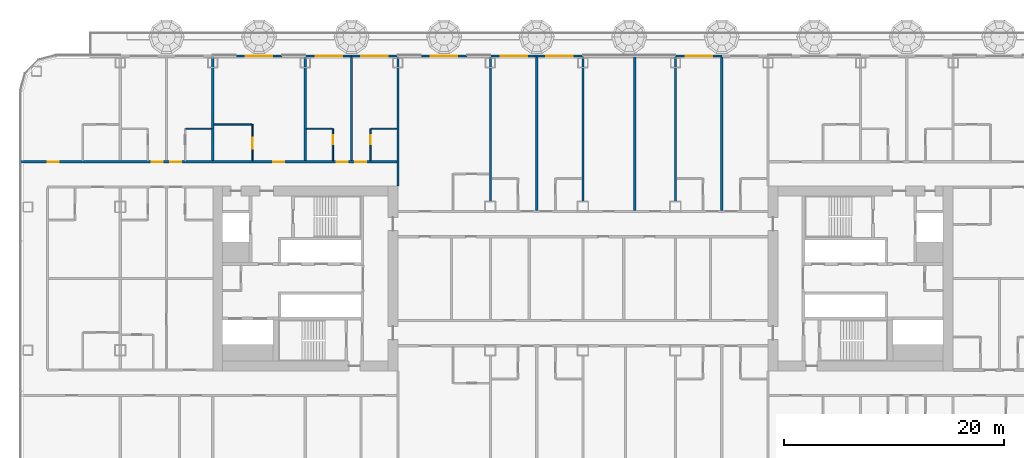
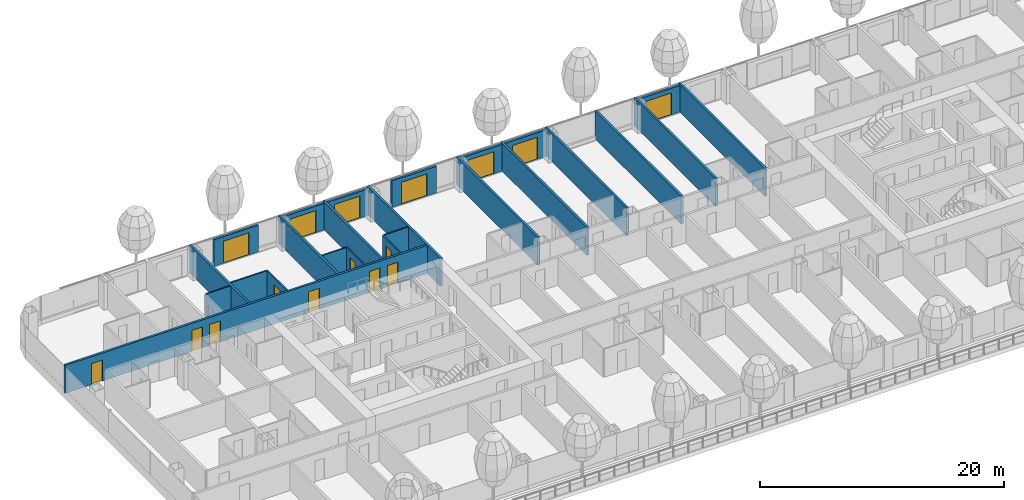
# One storey, part 16 of 36: 25 walls, 16 doors, 16 openings, 1 element without a shape of its own.
"""IFC4 building model written with IfcOpenShell, lengths in metres."""

from ifc_helpers import new_model, si_unit, direction, frame, frame_2d, origin, place, context, subcontext, project, spatial, rectangle, extrude, material, layer, layer_set, type_object, element, fill, aggregate, save


model = new_model("IFC4")

# Units and contexts
model_context = context("Model", 3, precision=1e-05, world=origin(), true_north=direction((0.0, 1.0)))
body_context = subcontext(model_context, "Body", "Model", "MODEL_VIEW")
ifc_project = project(units=[si_unit("LENGTHUNIT", "METRE"), si_unit("AREAUNIT", "SQUARE_METRE"), si_unit("VOLUMEUNIT", "CUBIC_METRE"), si_unit("PLANEANGLEUNIT", "RADIAN"), si_unit("MASSUNIT", "GRAM", prefix="KILO")], contexts=[model_context])

# Site, building, storey
site_placement = place(None, origin())
site = spatial("IfcSite", under=ifc_project, at=site_placement, CompositionType="ELEMENT")
building_placement = place(site_placement, origin())
building = spatial("IfcBuilding", under=site, at=building_placement, Name="Hakoniwa Tower and Hamabe Station Hall", CompositionType="ELEMENT")
storey_placement = place(building_placement, frame((0.0, 0.0, 26.199951171875)))
storey = spatial("IfcBuildingStorey", under=building, at=storey_placement, Name="L06", CompositionType="ELEMENT", Elevation=26.199951171875)

# Walls
ifc_material_1 = material(Name="Gypsum board partition", Category="gypsum")
ifc_layer_1 = layer(ifc_material_1, 0.125)
ifc_layer_set_1 = layer_set([ifc_layer_1], Name="Bathroom Partition 125")
wall_type_1 = type_object("IfcWallType", Name="Bathroom Partition 125", PredefinedType="PARTITIONING", material=ifc_layer_set_1)
for number, where, z_axis, x_axis, name in (
    (1, (-36.03759765625, 13.60009765625, 0.0), (0.0, 0.0, 1.0), (1.0, 0.0, 0.0), "GW-L06-042"),
    (2, (-25.10009765625, 13.60009765625, 0.0), (0.0, 0.0, 1.0), (1.0, 0.0, 0.0), "GW-L06-043"),
    (3, (-19.237548828125, 13.60009765625, 0.0), (0.0, 0.0, 1.0), (1.0, 0.0, 0.0), "GW-L06-044"),
):
    element("IfcWall", number, at=place(storey_placement, frame(where, z_axis=z_axis, x_axis=x_axis)), inside=storey, type_object=wall_type_1, Name=name, PredefinedType="PARTITIONING", context=body_context, shape_type="SweptSolid", body=[
        extrude(rectangle(XDim=2.337646484375, YDim=0.125, at=frame_2d((1.1689453125, 0.0))), origin(), (0.0, 0.0, 1.0), 2.800048828125),
    ])
wall_1_placement = place(storey_placement, frame((-33.5, 14.0, 0.0), z_axis=(0.0, 0.0, 1.0), x_axis=(1.0, 0.0, 0.0)))
element("IfcWall", 4, at=wall_1_placement, inside=storey, type_object=wall_type_1, Name="GW-L06-050", PredefinedType="PARTITIONING", context=body_context, shape_type="SweptSolid", body=[
    extrude(rectangle(XDim=3.4375, YDim=0.125, at=frame_2d((1.71875, 0.0))), origin(), (0.0, 0.0, 1.0), 2.800048828125),
])

# Wall, opening, door
wall_2_placement = place(storey_placement, frame((-30.0, 10.699951171875, 0.0), z_axis=(0.0, 0.0, 1.0), x_axis=(0.0, 1.0, 0.0)))
wall_2 = element("IfcWall", 5, at=wall_2_placement, inside=storey, type_object=wall_type_1, Name="GW-L06-071", PredefinedType="PARTITIONING", context=body_context, shape_type="SweptSolid", body=[
    extrude(rectangle(XDim=3.300048828125, YDim=0.125, at=frame_2d((1.64990234375, 0.0))), origin(), (0.0, 0.0, 1.0), 2.800048828125),
])
opening_1_placement = place(wall_2_placement, frame((1.10009765625, 0.0, 0.0)))
opening_1 = element("IfcOpeningElement", 6, at=opening_1_placement, cuts=wall_2, Name="Opening GD-G1C0-74", PredefinedType="OPENING", context=body_context, shape_type="SweptSolid", body=[
    extrude(rectangle(XDim=1.0, YDim=2.10009765625, at=frame_2d((0.5, 1.050048828125))), frame((0.0, 0.072509765625, 0.0), z_axis=(0.0, -1.0, 0.0), x_axis=(1.0, 0.0, 0.0)), (0.0, 0.0, 1.0), 0.14501953125),
])
ifc_material_2 = material(Name="Timber door leaf", Category="wood")
door_type_1 = type_object("IfcDoorType", Name="Accessible Bathroom Door 1000", OperationType="SINGLE_SWING_LEFT", PredefinedType="DOOR", material=ifc_material_2)
door_1_placement = place(opening_1_placement, origin())
door_1 = element("IfcDoor", 7, at=door_1_placement, inside=storey, type_object=door_type_1, Name="Door GD-G1C0-74", OperationType="SINGLE_SWING_RIGHT", OverallHeight=2.10009765625, OverallWidth=1.0, PredefinedType="DOOR", context=body_context, shape_type="SweptSolid", body=[
    extrude(rectangle(XDim=1.0, YDim=2.10009765625, at=frame_2d((0.5, 1.050048828125))), frame((0.0, 0.02490234375, 0.0), z_axis=(0.0, -1.0, 0.0), x_axis=(1.0, 0.0, 0.0)), (0.0, 0.0, 1.0), 0.050048828125),
])
fill(opening_1, door_1)

wall_3_placement = place(storey_placement, frame((-22.699951171875, 10.699951171875, 0.0), z_axis=(0.0, 0.0, 1.0), x_axis=(0.0, 1.0, 0.0)))
wall_3 = element("IfcWall", 8, at=wall_3_placement, inside=storey, type_object=wall_type_1, Name="GW-L06-074", PredefinedType="PARTITIONING", context=body_context, shape_type="SweptSolid", body=[
    extrude(rectangle(XDim=2.900146484375, YDim=0.125, at=frame_2d((1.4501953125, 0.0))), origin(), (0.0, 0.0, 1.0), 2.800048828125),
])
opening_2_placement = place(wall_3_placement, frame((1.5, 0.0, 0.0)))
opening_2 = element("IfcOpeningElement", 9, at=opening_2_placement, cuts=wall_3, Name="Opening GD-G1C0-75", PredefinedType="OPENING", context=body_context, shape_type="SweptSolid", body=[
    extrude(rectangle(XDim=0.800048828125, YDim=2.10009765625, at=frame_2d((0.39990234375, 1.050048828125))), frame((0.0, 0.072509765625, 0.0), z_axis=(0.0, -1.0, 0.0), x_axis=(1.0, 0.0, 0.0)), (0.0, 0.0, 1.0), 0.14501953125),
])
ifc_material_3 = material(Name="Timber door leaf", Category="wood")
door_type_2 = type_object("IfcDoorType", Name="Bathroom Door 800", OperationType="SINGLE_SWING_LEFT", PredefinedType="DOOR", material=ifc_material_3)
door_2_placement = place(opening_2_placement, origin())
door_2 = element("IfcDoor", 10, at=door_2_placement, inside=storey, type_object=door_type_2, Name="Door GD-G1C0-75", OperationType="SINGLE_SWING_LEFT", OverallHeight=2.10009765625, OverallWidth=0.800048828125, PredefinedType="DOOR", context=body_context, shape_type="SweptSolid", body=[
    extrude(rectangle(XDim=0.800048828125, YDim=2.10009765625, at=frame_2d((0.39990234375, 1.050048828125))), frame((0.0, 0.02490234375, 0.0), z_axis=(0.0, -1.0, 0.0), x_axis=(1.0, 0.0, 0.0)), (0.0, 0.0, 1.0), 0.050048828125),
])
fill(opening_2, door_2)

wall_4_placement = place(storey_placement, frame((-19.300048828125, 10.699951171875, 0.0), z_axis=(0.0, 0.0, 1.0), x_axis=(0.0, 1.0, 0.0)))
wall_4 = element("IfcWall", 11, at=wall_4_placement, inside=storey, type_object=wall_type_1, Name="GW-L06-077", PredefinedType="PARTITIONING", context=body_context, shape_type="SweptSolid", body=[
    extrude(rectangle(XDim=2.900146484375, YDim=0.125, at=frame_2d((1.4501953125, 0.0))), origin(), (0.0, 0.0, 1.0), 2.800048828125),
])
opening_3_placement = place(wall_4_placement, frame((1.5, 0.0, 0.0)))
opening_3 = element("IfcOpeningElement", 12, at=opening_3_placement, cuts=wall_4, Name="Opening GD-G1C0-76", PredefinedType="OPENING", context=body_context, shape_type="SweptSolid", body=[
    extrude(rectangle(XDim=0.800048828125, YDim=2.10009765625, at=frame_2d((0.39990234375, 1.050048828125))), frame((0.0, 0.072509765625, 0.0), z_axis=(0.0, -1.0, 0.0), x_axis=(1.0, 0.0, 0.0)), (0.0, 0.0, 1.0), 0.14501953125),
])
door_3_placement = place(opening_3_placement, origin())
door_3 = element("IfcDoor", 13, at=door_3_placement, inside=storey, type_object=door_type_2, Name="Door GD-G1C0-76", OperationType="SINGLE_SWING_RIGHT", OverallHeight=2.10009765625, OverallWidth=0.800048828125, PredefinedType="DOOR", context=body_context, shape_type="SweptSolid", body=[
    extrude(rectangle(XDim=0.800048828125, YDim=2.10009765625, at=frame_2d((0.39990234375, 1.050048828125))), frame((0.0, 0.02490234375, 0.0), z_axis=(0.0, -1.0, 0.0), x_axis=(1.0, 0.0, 0.0)), (0.0, 0.0, 1.0), 0.050048828125),
])
fill(opening_3, door_3)

# Wall, openings, doors
ifc_material_4 = material(Name="Fire-rated gypsum board partition", Category="gypsum")
ifc_layer_2 = layer(ifc_material_4, 0.199951171875)
ifc_layer_set_2 = layer_set([ifc_layer_2], Name="Corridor Wall 200")
wall_type_2 = type_object("IfcWallType", Name="Corridor Wall 200", PredefinedType="PARTITIONING", material=ifc_layer_set_2)
wall_5_placement = place(storey_placement, frame((-51.10009765625, 10.60009765625, 0.0), z_axis=(0.0, 0.0, 1.0), x_axis=(1.0, 0.0, 0.0)))
wall_5 = element("IfcWall", 14, at=wall_5_placement, inside=storey, type_object=wall_type_2, Name="GW-L06-039", PredefinedType="PARTITIONING", context=body_context, shape_type="SweptSolid", body=[
    extrude(rectangle(XDim=34.300048828125, YDim=0.199951171875, at=frame_2d((17.14990234375, 0.0))), origin(), (0.0, 0.0, 1.0), 2.800048828125),
])
opening_4_placement = place(wall_5_placement, frame((2.5, 0.0, 0.0)))
opening_4 = element("IfcOpeningElement", 15, at=opening_4_placement, cuts=wall_5, Name="Opening GD-G1C0-53", PredefinedType="OPENING", context=body_context, shape_type="SweptSolid", body=[
    extrude(rectangle(XDim=1.0, YDim=2.10009765625, at=frame_2d((0.5, 1.050048828125))), frame((0.0, 0.10986328125, 0.0), z_axis=(0.0, -1.0, 0.0), x_axis=(1.0, 0.0, 0.0)), (0.0, 0.0, 1.0), 0.219970703125),
])
opening_5_placement = place(wall_5_placement, frame((11.949951171875, 0.0, 0.0)))
opening_5 = element("IfcOpeningElement", 16, at=opening_5_placement, cuts=wall_5, Name="Opening GD-G1C0-54", PredefinedType="OPENING", context=body_context, shape_type="SweptSolid", body=[
    extrude(rectangle(XDim=1.0, YDim=2.10009765625, at=frame_2d((0.5, 1.050048828125))), frame((0.0, 0.10986328125, 0.0), z_axis=(0.0, -1.0, 0.0), x_axis=(1.0, 0.0, 0.0)), (0.0, 0.0, 1.0), 0.219970703125),
])
opening_6_placement = place(wall_5_placement, frame((13.64990234375, 0.0, 0.0)))
opening_6 = element("IfcOpeningElement", 17, at=opening_6_placement, cuts=wall_5, Name="Opening GD-G1C0-55", PredefinedType="OPENING", context=body_context, shape_type="SweptSolid", body=[
    extrude(rectangle(XDim=1.0, YDim=2.10009765625, at=frame_2d((0.5, 1.050048828125))), frame((0.0, 0.10986328125, 0.0), z_axis=(0.0, -1.0, 0.0), x_axis=(1.0, 0.0, 0.0)), (0.0, 0.0, 1.0), 0.219970703125),
])
opening_7_placement = place(wall_5_placement, frame((23.0, 0.0, 0.0)))
opening_7 = element("IfcOpeningElement", 18, at=opening_7_placement, cuts=wall_5, Name="Opening GD-G1C0-56", PredefinedType="OPENING", context=body_context, shape_type="SweptSolid", body=[
    extrude(rectangle(XDim=1.0, YDim=2.10009765625, at=frame_2d((0.5, 1.050048828125))), frame((0.0, 0.10986328125, 0.0), z_axis=(0.0, -1.0, 0.0), x_axis=(1.0, 0.0, 0.0)), (0.0, 0.0, 1.0), 0.219970703125),
])
opening_8_placement = place(wall_5_placement, frame((28.75, 0.0, 0.0)))
opening_8 = element("IfcOpeningElement", 19, at=opening_8_placement, cuts=wall_5, Name="Opening GD-G1C0-57", PredefinedType="OPENING", context=body_context, shape_type="SweptSolid", body=[
    extrude(rectangle(XDim=1.0, YDim=2.10009765625, at=frame_2d((0.5, 1.050048828125))), frame((0.0, 0.10986328125, 0.0), z_axis=(0.0, -1.0, 0.0), x_axis=(1.0, 0.0, 0.0)), (0.0, 0.0, 1.0), 0.219970703125),
])
opening_9_placement = place(wall_5_placement, frame((30.449951171875, 0.0, 0.0)))
opening_9 = element("IfcOpeningElement", 20, at=opening_9_placement, cuts=wall_5, Name="Opening GD-G1C0-58", PredefinedType="OPENING", context=body_context, shape_type="SweptSolid", body=[
    extrude(rectangle(XDim=1.0, YDim=2.10009765625, at=frame_2d((0.5, 1.050048828125))), frame((0.0, 0.10986328125, 0.0), z_axis=(0.0, -1.0, 0.0), x_axis=(1.0, 0.0, 0.0)), (0.0, 0.0, 1.0), 0.219970703125),
])
ifc_material_5 = material(Name="Timber door leaf", Category="wood")
door_type_3 = type_object("IfcDoorType", Name="Accessible Guest Entrance Door 1000", OperationType="SINGLE_SWING_LEFT", PredefinedType="DOOR", material=ifc_material_5)
door_4_placement = place(opening_7_placement, origin())
door_4 = element("IfcDoor", 21, at=door_4_placement, inside=storey, type_object=door_type_3, Name="Door GD-G1C0-56", OperationType="SINGLE_SWING_RIGHT", OverallHeight=2.10009765625, OverallWidth=1.0, PredefinedType="DOOR", context=body_context, shape_type="SweptSolid", body=[
    extrude(rectangle(XDim=1.0, YDim=2.10009765625, at=frame_2d((0.5, 1.050048828125))), frame((0.0, 0.02490234375, 0.0), z_axis=(0.0, -1.0, 0.0), x_axis=(1.0, 0.0, 0.0)), (0.0, 0.0, 1.0), 0.050048828125),
])
fill(opening_7, door_4)
ifc_material_6 = material(Name="Timber door leaf", Category="wood")
door_type_4 = type_object("IfcDoorType", Name="Guest Entrance Door 1000", OperationType="SINGLE_SWING_LEFT", PredefinedType="DOOR", material=ifc_material_6)
door_5_placement = place(opening_4_placement, origin())
door_5 = element("IfcDoor", 22, at=door_5_placement, inside=storey, type_object=door_type_4, Name="Door GD-G1C0-53", OperationType="SINGLE_SWING_LEFT", OverallHeight=2.10009765625, OverallWidth=1.0, PredefinedType="DOOR", context=body_context, shape_type="SweptSolid", body=[
    extrude(rectangle(XDim=1.0, YDim=2.10009765625, at=frame_2d((0.5, 1.050048828125))), frame((0.0, 0.02490234375, 0.0), z_axis=(0.0, -1.0, 0.0), x_axis=(1.0, 0.0, 0.0)), (0.0, 0.0, 1.0), 0.050048828125),
])
fill(opening_4, door_5)
door_6_placement = place(opening_5_placement, origin())
door_6 = element("IfcDoor", 23, at=door_6_placement, inside=storey, type_object=door_type_4, Name="Door GD-G1C0-54", OperationType="SINGLE_SWING_RIGHT", OverallHeight=2.10009765625, OverallWidth=1.0, PredefinedType="DOOR", context=body_context, shape_type="SweptSolid", body=[
    extrude(rectangle(XDim=1.0, YDim=2.10009765625, at=frame_2d((0.5, 1.050048828125))), frame((0.0, 0.02490234375, 0.0), z_axis=(0.0, -1.0, 0.0), x_axis=(1.0, 0.0, 0.0)), (0.0, 0.0, 1.0), 0.050048828125),
])
fill(opening_5, door_6)
door_7_placement = place(opening_6_placement, origin())
door_7 = element("IfcDoor", 24, at=door_7_placement, inside=storey, type_object=door_type_4, Name="Door GD-G1C0-55", OperationType="SINGLE_SWING_LEFT", OverallHeight=2.10009765625, OverallWidth=1.0, PredefinedType="DOOR", context=body_context, shape_type="SweptSolid", body=[
    extrude(rectangle(XDim=1.0, YDim=2.10009765625, at=frame_2d((0.5, 1.050048828125))), frame((0.0, 0.02490234375, 0.0), z_axis=(0.0, -1.0, 0.0), x_axis=(1.0, 0.0, 0.0)), (0.0, 0.0, 1.0), 0.050048828125),
])
fill(opening_6, door_7)
door_8_placement = place(opening_8_placement, origin())
door_8 = element("IfcDoor", 25, at=door_8_placement, inside=storey, type_object=door_type_4, Name="Door GD-G1C0-57", OperationType="SINGLE_SWING_LEFT", OverallHeight=2.10009765625, OverallWidth=1.0, PredefinedType="DOOR", context=body_context, shape_type="SweptSolid", body=[
    extrude(rectangle(XDim=1.0, YDim=2.10009765625, at=frame_2d((0.5, 1.050048828125))), frame((0.0, 0.02490234375, 0.0), z_axis=(0.0, -1.0, 0.0), x_axis=(1.0, 0.0, 0.0)), (0.0, 0.0, 1.0), 0.050048828125),
])
fill(opening_8, door_8)
door_9_placement = place(opening_9_placement, origin())
door_9 = element("IfcDoor", 26, at=door_9_placement, inside=storey, type_object=door_type_4, Name="Door GD-G1C0-58", OperationType="SINGLE_SWING_RIGHT", OverallHeight=2.10009765625, OverallWidth=1.0, PredefinedType="DOOR", context=body_context, shape_type="SweptSolid", body=[
    extrude(rectangle(XDim=1.0, YDim=2.10009765625, at=frame_2d((0.5, 1.050048828125))), frame((0.0, 0.02490234375, 0.0), z_axis=(0.0, -1.0, 0.0), x_axis=(1.0, 0.0, 0.0)), (0.0, 0.0, 1.0), 0.050048828125),
])
fill(opening_9, door_9)

# Curtain wall, walls, openings, doors
ifc_material_7 = material(Name="Dark low-e laminated glass", Category="glass")
ifc_layer_3 = layer(ifc_material_7, 0.199951171875)
ifc_layer_set_3 = layer_set([ifc_layer_3], Name="CW-1 UNITISED GUEST")
curtain_wall_type = type_object("IfcCurtainWallType", Name="CW-1 UNITISED GUEST", PredefinedType="NOTDEFINED", material=ifc_layer_set_3)
curtain_wall_placement = place(storey_placement, origin())
curtain_wall = element("IfcCurtainWall", 27, at=curtain_wall_placement, inside=storey, type_object=curtain_wall_type, Name="CW-1 curtain wall", PredefinedType="NOTDEFINED")
ifc_material_8 = material(Name="Dark glass-faced aluminium panel", Category="aluminium")
ifc_layer_4 = layer(ifc_material_8, 0.199951171875)
ifc_layer_set_4 = layer_set([ifc_layer_4], Name="DOOR BAY WALL")
wall_type_3 = type_object("IfcWallType", Name="DOOR BAY WALL", PredefinedType="NOTDEFINED", material=ifc_layer_set_4)
wall_6_placement = place(storey_placement, frame((12.639892578125, 20.199951171875, 0.0), z_axis=(0.0, 0.0, 1.0), x_axis=(-1.0, 0.0, 0.0)))
wall_6 = element("IfcWall", 28, at=wall_6_placement, type_object=wall_type_3, Name="Door bay wall", PredefinedType="NOTDEFINED", context=body_context, shape_type="SweptSolid", body=[
    extrude(rectangle(XDim=4.219970703125, YDim=0.199951171875, at=frame_2d((2.10986328125, 0.0))), origin(), (0.0, 0.0, 1.0), 2.650146484375),
])
opening_10_placement = place(wall_6_placement, frame((0.909912109375, 0.0, 0.0)))
opening_10 = element("IfcOpeningElement", 29, at=opening_10_placement, cuts=wall_6, Name="Opening BD-N03-4", PredefinedType="OPENING", context=body_context, shape_type="SweptSolid", body=[
    extrude(rectangle(XDim=2.39990234375, YDim=2.199951171875, at=frame_2d((1.199951171875, 1.10009765625))), frame((0.0, 0.10986328125, 0.0), z_axis=(0.0, -1.0, 0.0), x_axis=(1.0, 0.0, 0.0)), (0.0, 0.0, 1.0), 0.219970703125),
])
ifc_material_9 = material(Name="Dark low-e laminated glass", Category="glass")
door_type_5 = type_object("IfcDoorType", Name="BALCONY SLIDING DOOR 2400X2200", OperationType="SLIDING_TO_LEFT", PredefinedType="DOOR", material=ifc_material_9)
door_10_placement = place(opening_10_placement, frame((2.39990234375, 0.0, 0.0), z_axis=(0.0, 0.0, 1.0), x_axis=(-1.0, 0.0, 0.0)))
door_10 = element("IfcDoor", 30, at=door_10_placement, inside=storey, type_object=door_type_5, Name="Balcony sliding door", OperationType="SLIDING_TO_LEFT", OverallHeight=2.199951171875, OverallWidth=2.39990234375, PredefinedType="DOOR", context=body_context, shape_type="SweptSolid", body=[
    extrude(rectangle(XDim=2.39990234375, YDim=2.199951171875, at=frame_2d((1.199951171875, 1.10009765625))), frame((0.0, 0.02490234375, 0.0), z_axis=(0.0, -1.0, 0.0), x_axis=(1.0, 0.0, 0.0)), (0.0, 0.0, 1.0), 0.050048828125),
])
fill(opening_10, door_10)
wall_7_placement = place(storey_placement, frame((-0.02001953125, 20.199951171875, 0.0), z_axis=(0.0, 0.0, 1.0), x_axis=(-1.0, 0.0, 0.0)))
wall_7 = element("IfcWall", 31, at=wall_7_placement, type_object=wall_type_3, Name="Door bay wall", PredefinedType="NOTDEFINED", context=body_context, shape_type="SweptSolid", body=[
    extrude(rectangle(XDim=4.219970703125, YDim=0.199951171875, at=frame_2d((2.10986328125, 0.0))), origin(), (0.0, 0.0, 1.0), 2.650146484375),
])
opening_11_placement = place(wall_7_placement, frame((0.909912109375, 0.0, 0.0)))
opening_11 = element("IfcOpeningElement", 32, at=opening_11_placement, cuts=wall_7, Name="Opening BD-N03-3", PredefinedType="OPENING", context=body_context, shape_type="SweptSolid", body=[
    extrude(rectangle(XDim=2.39990234375, YDim=2.199951171875, at=frame_2d((1.199951171875, 1.10009765625))), frame((0.0, 0.10986328125, 0.0), z_axis=(0.0, -1.0, 0.0), x_axis=(1.0, 0.0, 0.0)), (0.0, 0.0, 1.0), 0.219970703125),
])
door_11_placement = place(opening_11_placement, frame((2.39990234375, 0.0, 0.0), z_axis=(0.0, 0.0, 1.0), x_axis=(-1.0, 0.0, 0.0)))
door_11 = element("IfcDoor", 33, at=door_11_placement, inside=storey, type_object=door_type_5, Name="Balcony sliding door", OperationType="SLIDING_TO_LEFT", OverallHeight=2.199951171875, OverallWidth=2.39990234375, PredefinedType="DOOR", context=body_context, shape_type="SweptSolid", body=[
    extrude(rectangle(XDim=2.39990234375, YDim=2.199951171875, at=frame_2d((1.199951171875, 1.10009765625))), frame((0.0, 0.02490234375, 0.0), z_axis=(0.0, -1.0, 0.0), x_axis=(1.0, 0.0, 0.0)), (0.0, 0.0, 1.0), 0.050048828125),
])
fill(opening_11, door_11)
wall_8_placement = place(storey_placement, frame((-4.159912109375, 20.199951171875, 0.0), z_axis=(0.0, 0.0, 1.0), x_axis=(-1.0, 0.0, 0.0)))
wall_8 = element("IfcWall", 34, at=wall_8_placement, type_object=wall_type_3, Name="Door bay wall", PredefinedType="NOTDEFINED", context=body_context, shape_type="SweptSolid", body=[
    extrude(rectangle(XDim=4.219970703125, YDim=0.199951171875, at=frame_2d((2.10986328125, 0.0))), origin(), (0.0, 0.0, 1.0), 2.650146484375),
])
opening_12_placement = place(wall_8_placement, frame((0.909912109375, 0.0, 0.0)))
opening_12 = element("IfcOpeningElement", 35, at=opening_12_placement, cuts=wall_8, Name="Opening BD-N03-2", PredefinedType="OPENING", context=body_context, shape_type="SweptSolid", body=[
    extrude(rectangle(XDim=2.39990234375, YDim=2.199951171875, at=frame_2d((1.199951171875, 1.10009765625))), frame((0.0, 0.10986328125, 0.0), z_axis=(0.0, -1.0, 0.0), x_axis=(1.0, 0.0, 0.0)), (0.0, 0.0, 1.0), 0.219970703125),
])
door_12_placement = place(opening_12_placement, frame((2.39990234375, 0.0, 0.0), z_axis=(0.0, 0.0, 1.0), x_axis=(-1.0, 0.0, 0.0)))
door_12 = element("IfcDoor", 36, at=door_12_placement, inside=storey, type_object=door_type_5, Name="Balcony sliding door", OperationType="SLIDING_TO_LEFT", OverallHeight=2.199951171875, OverallWidth=2.39990234375, PredefinedType="DOOR", context=body_context, shape_type="SweptSolid", body=[
    extrude(rectangle(XDim=2.39990234375, YDim=2.199951171875, at=frame_2d((1.199951171875, 1.10009765625))), frame((0.0, 0.02490234375, 0.0), z_axis=(0.0, -1.0, 0.0), x_axis=(1.0, 0.0, 0.0)), (0.0, 0.0, 1.0), 0.050048828125),
])
fill(opening_12, door_12)
wall_9_placement = place(storey_placement, frame((-10.489990234375, 20.199951171875, 0.0), z_axis=(0.0, 0.0, 1.0), x_axis=(-1.0, 0.0, 0.0)))
wall_9 = element("IfcWall", 37, at=wall_9_placement, type_object=wall_type_3, Name="Door bay wall", PredefinedType="NOTDEFINED", context=body_context, shape_type="SweptSolid", body=[
    extrude(rectangle(XDim=4.219970703125, YDim=0.199951171875, at=frame_2d((2.10986328125, 0.0))), origin(), (0.0, 0.0, 1.0), 2.650146484375),
])
opening_13_placement = place(wall_9_placement, frame((0.909912109375, 0.0, 0.0)))
opening_13 = element("IfcOpeningElement", 38, at=opening_13_placement, cuts=wall_9, Name="Opening BD-N03-1", PredefinedType="OPENING", context=body_context, shape_type="SweptSolid", body=[
    extrude(rectangle(XDim=2.39990234375, YDim=2.199951171875, at=frame_2d((1.199951171875, 1.10009765625))), frame((0.0, 0.10986328125, 0.0), z_axis=(0.0, -1.0, 0.0), x_axis=(1.0, 0.0, 0.0)), (0.0, 0.0, 1.0), 0.219970703125),
])
door_13_placement = place(opening_13_placement, frame((2.39990234375, 0.0, 0.0), z_axis=(0.0, 0.0, 1.0), x_axis=(-1.0, 0.0, 0.0)))
door_13 = element("IfcDoor", 39, at=door_13_placement, inside=storey, type_object=door_type_5, Name="Balcony sliding door", OperationType="SLIDING_TO_LEFT", OverallHeight=2.199951171875, OverallWidth=2.39990234375, PredefinedType="DOOR", context=body_context, shape_type="SweptSolid", body=[
    extrude(rectangle(XDim=2.39990234375, YDim=2.199951171875, at=frame_2d((1.199951171875, 1.10009765625))), frame((0.0, 0.02490234375, 0.0), z_axis=(0.0, -1.0, 0.0), x_axis=(1.0, 0.0, 0.0)), (0.0, 0.0, 1.0), 0.050048828125),
])
fill(opening_13, door_13)
wall_10_placement = place(storey_placement, frame((-16.820068359375, 20.199951171875, 0.0), z_axis=(0.0, 0.0, 1.0), x_axis=(-1.0, 0.0, 0.0)))
wall_10 = element("IfcWall", 40, at=wall_10_placement, type_object=wall_type_3, Name="Door bay wall", PredefinedType="NOTDEFINED", context=body_context, shape_type="SweptSolid", body=[
    extrude(rectangle(XDim=4.219970703125, YDim=0.199951171875, at=frame_2d((2.10986328125, 0.0))), origin(), (0.0, 0.0, 1.0), 2.650146484375),
])
opening_14_placement = place(wall_10_placement, frame((0.909912109375, 0.0, 0.0)))
opening_14 = element("IfcOpeningElement", 41, at=opening_14_placement, cuts=wall_10, Name="Opening BD-N03-23", PredefinedType="OPENING", context=body_context, shape_type="SweptSolid", body=[
    extrude(rectangle(XDim=2.39990234375, YDim=2.199951171875, at=frame_2d((1.199951171875, 1.10009765625))), frame((0.0, 0.10986328125, 0.0), z_axis=(0.0, -1.0, 0.0), x_axis=(1.0, 0.0, 0.0)), (0.0, 0.0, 1.0), 0.219970703125),
])
door_14_placement = place(opening_14_placement, frame((2.39990234375, 0.0, 0.0), z_axis=(0.0, 0.0, 1.0), x_axis=(-1.0, 0.0, 0.0)))
door_14 = element("IfcDoor", 42, at=door_14_placement, inside=storey, type_object=door_type_5, Name="Balcony sliding door", OperationType="SLIDING_TO_LEFT", OverallHeight=2.199951171875, OverallWidth=2.39990234375, PredefinedType="DOOR", context=body_context, shape_type="SweptSolid", body=[
    extrude(rectangle(XDim=2.39990234375, YDim=2.199951171875, at=frame_2d((1.199951171875, 1.10009765625))), frame((0.0, 0.02490234375, 0.0), z_axis=(0.0, -1.0, 0.0), x_axis=(1.0, 0.0, 0.0)), (0.0, 0.0, 1.0), 0.050048828125),
])
fill(opening_14, door_14)
wall_11_placement = place(storey_placement, frame((-20.9599609375, 20.199951171875, 0.0), z_axis=(0.0, 0.0, 1.0), x_axis=(-1.0, 0.0, 0.0)))
wall_11 = element("IfcWall", 43, at=wall_11_placement, type_object=wall_type_3, Name="Door bay wall", PredefinedType="NOTDEFINED", context=body_context, shape_type="SweptSolid", body=[
    extrude(rectangle(XDim=4.219970703125, YDim=0.199951171875, at=frame_2d((2.10986328125, 0.0))), origin(), (0.0, 0.0, 1.0), 2.650146484375),
])
opening_15_placement = place(wall_11_placement, frame((0.909912109375, 0.0, 0.0)))
opening_15 = element("IfcOpeningElement", 44, at=opening_15_placement, cuts=wall_11, Name="Opening BD-N03-22", PredefinedType="OPENING", context=body_context, shape_type="SweptSolid", body=[
    extrude(rectangle(XDim=2.39990234375, YDim=2.199951171875, at=frame_2d((1.199951171875, 1.10009765625))), frame((0.0, 0.10986328125, 0.0), z_axis=(0.0, -1.0, 0.0), x_axis=(1.0, 0.0, 0.0)), (0.0, 0.0, 1.0), 0.219970703125),
])
door_15_placement = place(opening_15_placement, frame((2.39990234375, 0.0, 0.0), z_axis=(0.0, 0.0, 1.0), x_axis=(-1.0, 0.0, 0.0)))
door_15 = element("IfcDoor", 45, at=door_15_placement, inside=storey, type_object=door_type_5, Name="Balcony sliding door", OperationType="SLIDING_TO_LEFT", OverallHeight=2.199951171875, OverallWidth=2.39990234375, PredefinedType="DOOR", context=body_context, shape_type="SweptSolid", body=[
    extrude(rectangle(XDim=2.39990234375, YDim=2.199951171875, at=frame_2d((1.199951171875, 1.10009765625))), frame((0.0, 0.02490234375, 0.0), z_axis=(0.0, -1.0, 0.0), x_axis=(1.0, 0.0, 0.0)), (0.0, 0.0, 1.0), 0.050048828125),
])
fill(opening_15, door_15)
wall_12_placement = place(storey_placement, frame((-27.2900390625, 20.199951171875, 0.0), z_axis=(0.0, 0.0, 1.0), x_axis=(-1.0, 0.0, 0.0)))
wall_12 = element("IfcWall", 46, at=wall_12_placement, type_object=wall_type_3, Name="Door bay wall", PredefinedType="NOTDEFINED", context=body_context, shape_type="SweptSolid", body=[
    extrude(rectangle(XDim=4.219970703125, YDim=0.199951171875, at=frame_2d((2.10986328125, 0.0))), origin(), (0.0, 0.0, 1.0), 2.650146484375),
])
opening_16_placement = place(wall_12_placement, frame((0.909912109375, 0.0, 0.0)))
opening_16 = element("IfcOpeningElement", 47, at=opening_16_placement, cuts=wall_12, Name="Opening BD-N03-21", PredefinedType="OPENING", context=body_context, shape_type="SweptSolid", body=[
    extrude(rectangle(XDim=2.39990234375, YDim=2.199951171875, at=frame_2d((1.199951171875, 1.10009765625))), frame((0.0, 0.10986328125, 0.0), z_axis=(0.0, -1.0, 0.0), x_axis=(1.0, 0.0, 0.0)), (0.0, 0.0, 1.0), 0.219970703125),
])
door_16_placement = place(opening_16_placement, frame((2.39990234375, 0.0, 0.0), z_axis=(0.0, 0.0, 1.0), x_axis=(-1.0, 0.0, 0.0)))
door_16 = element("IfcDoor", 48, at=door_16_placement, inside=storey, type_object=door_type_5, Name="Balcony sliding door", OperationType="SLIDING_TO_LEFT", OverallHeight=2.199951171875, OverallWidth=2.39990234375, PredefinedType="DOOR", context=body_context, shape_type="SweptSolid", body=[
    extrude(rectangle(XDim=2.39990234375, YDim=2.199951171875, at=frame_2d((1.199951171875, 1.10009765625))), frame((0.0, 0.02490234375, 0.0), z_axis=(0.0, -1.0, 0.0), x_axis=(1.0, 0.0, 0.0)), (0.0, 0.0, 1.0), 0.050048828125),
])
fill(opening_16, door_16)
aggregate(curtain_wall, [wall_6, wall_7, wall_8, wall_9, wall_10, wall_11, wall_12])

# Walls
ifc_material_10 = material(Name="Fire-rated gypsum board partition", Category="gypsum")
ifc_layer_5 = layer(ifc_material_10, 0.199951171875)
ifc_layer_set_5 = layer_set([ifc_layer_5], Name="Party Wall 200")
wall_type_4 = type_object("IfcWallType", Name="Party Wall 200", PredefinedType="PARTITIONING", material=ifc_layer_set_5)
for number, where, z_axis, x_axis, name in (
    (49, (-33.60009765625, 10.699951171875, 0.0), (0.0, 0.0, 1.0), (0.0, 1.0, 0.0), "GW-L06-070"),
    (50, (-25.199951171875, 10.699951171875, 0.0), (0.0, 0.0, 1.0), (0.0, 1.0, 0.0), "GW-L06-073"),
    (51, (-21.0, 10.699951171875, 0.0), (0.0, 0.0, 1.0), (0.0, 1.0, 0.0), "GW-L06-075"),
):
    element("IfcWall", number, at=place(storey_placement, frame(where, z_axis=z_axis, x_axis=x_axis)), inside=storey, type_object=wall_type_4, Name=name, PredefinedType="PARTITIONING", context=body_context, shape_type="SweptSolid", body=[
        extrude(rectangle(XDim=9.60009765625, YDim=0.199951171875, at=frame_2d((4.800048828125, 0.0))), origin(), (0.0, 0.0, 1.0), 2.800048828125),
    ])
wall_13_placement = place(storey_placement, frame((-16.800048828125, 8.389892578125, 0.0), z_axis=(0.0, 0.0, 1.0), x_axis=(0.0, 1.0, 0.0)))
element("IfcWall", 52, at=wall_13_placement, inside=storey, type_object=wall_type_4, Name="GW-L06-079", PredefinedType="PARTITIONING", context=body_context, shape_type="SweptSolid", body=[
    extrude(rectangle(XDim=11.91015625, YDim=0.199951171875, at=frame_2d((5.955078125, 0.0))), origin(), (0.0, 0.0, 1.0), 2.800048828125),
])
wall_14_placement = place(storey_placement, frame((-8.39990234375, 6.989990234375, 0.0), z_axis=(0.0, 0.0, 1.0), x_axis=(0.0, 1.0, 0.0)))
element("IfcWall", 53, at=wall_14_placement, inside=storey, type_object=wall_type_4, Name="GW-L06-085", PredefinedType="PARTITIONING", context=body_context, shape_type="SweptSolid", body=[
    extrude(rectangle(XDim=13.31005859375, YDim=0.199951171875, at=frame_2d((6.655029296875, 0.0))), origin(), (0.0, 0.0, 1.0), 2.800048828125),
])
wall_15_placement = place(storey_placement, frame((-4.199951171875, 6.199951171875, 0.0), z_axis=(0.0, 0.0, 1.0), x_axis=(0.0, 1.0, 0.0)))
element("IfcWall", 54, at=wall_15_placement, inside=storey, type_object=wall_type_4, Name="GW-L06-090", PredefinedType="PARTITIONING", context=body_context, shape_type="SweptSolid", body=[
    extrude(rectangle(XDim=14.10009765625, YDim=0.199951171875, at=frame_2d((7.050048828125, 0.0))), origin(), (0.0, 0.0, 1.0), 2.800048828125),
])
wall_16_placement = place(storey_placement, frame((0.0, 6.989990234375, 0.0), z_axis=(0.0, 0.0, 1.0), x_axis=(0.0, 1.0, 0.0)))
element("IfcWall", 55, at=wall_16_placement, inside=storey, type_object=wall_type_4, Name="GW-L06-095", PredefinedType="PARTITIONING", context=body_context, shape_type="SweptSolid", body=[
    extrude(rectangle(XDim=13.31005859375, YDim=0.199951171875, at=frame_2d((6.655029296875, 0.0))), origin(), (0.0, 0.0, 1.0), 2.800048828125),
])
wall_17_placement = place(storey_placement, frame((4.699951171875, 6.199951171875, 0.0), z_axis=(0.0, 0.0, 1.0), x_axis=(0.0, 1.0, 0.0)))
element("IfcWall", 56, at=wall_17_placement, inside=storey, type_object=wall_type_4, Name="GW-L06-098", PredefinedType="PARTITIONING", context=body_context, shape_type="SweptSolid", body=[
    extrude(rectangle(XDim=14.10009765625, YDim=0.199951171875, at=frame_2d((7.050048828125, 0.0))), origin(), (0.0, 0.0, 1.0), 2.800048828125),
])
wall_18_placement = place(storey_placement, frame((8.39990234375, 6.989990234375, 0.0), z_axis=(0.0, 0.0, 1.0), x_axis=(0.0, 1.0, 0.0)))
element("IfcWall", 57, at=wall_18_placement, inside=storey, type_object=wall_type_4, Name="GW-L06-101", PredefinedType="PARTITIONING", context=body_context, shape_type="SweptSolid", body=[
    extrude(rectangle(XDim=13.31005859375, YDim=0.199951171875, at=frame_2d((6.655029296875, 0.0))), origin(), (0.0, 0.0, 1.0), 2.800048828125),
])
wall_19_placement = place(storey_placement, frame((12.60009765625, 6.199951171875, 0.0), z_axis=(0.0, 0.0, 1.0), x_axis=(0.0, 1.0, 0.0)))
element("IfcWall", 58, at=wall_19_placement, inside=storey, type_object=wall_type_4, Name="GW-L06-106", PredefinedType="PARTITIONING", context=body_context, shape_type="SweptSolid", body=[
    extrude(rectangle(XDim=14.10009765625, YDim=0.199951171875, at=frame_2d((7.050048828125, 0.0))), origin(), (0.0, 0.0, 1.0), 2.800048828125),
])

save(model, "model.ifc")
